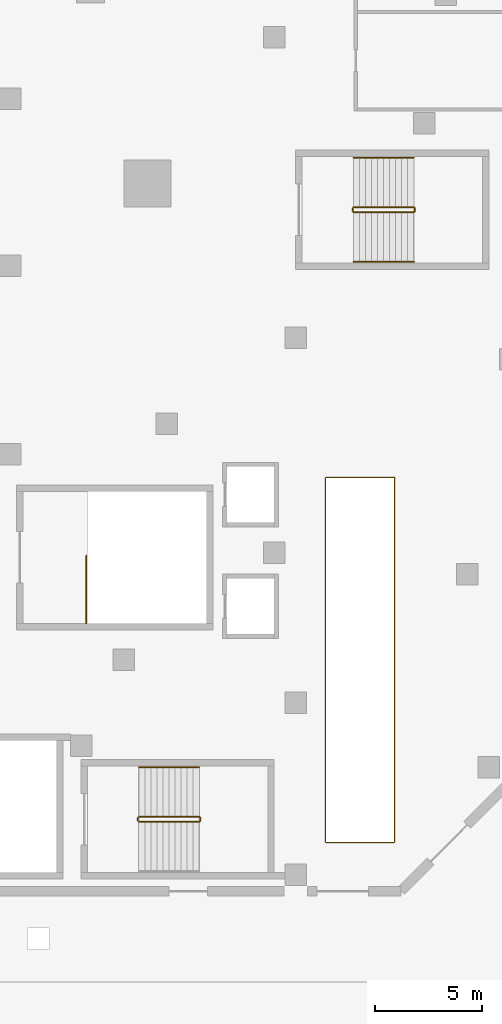
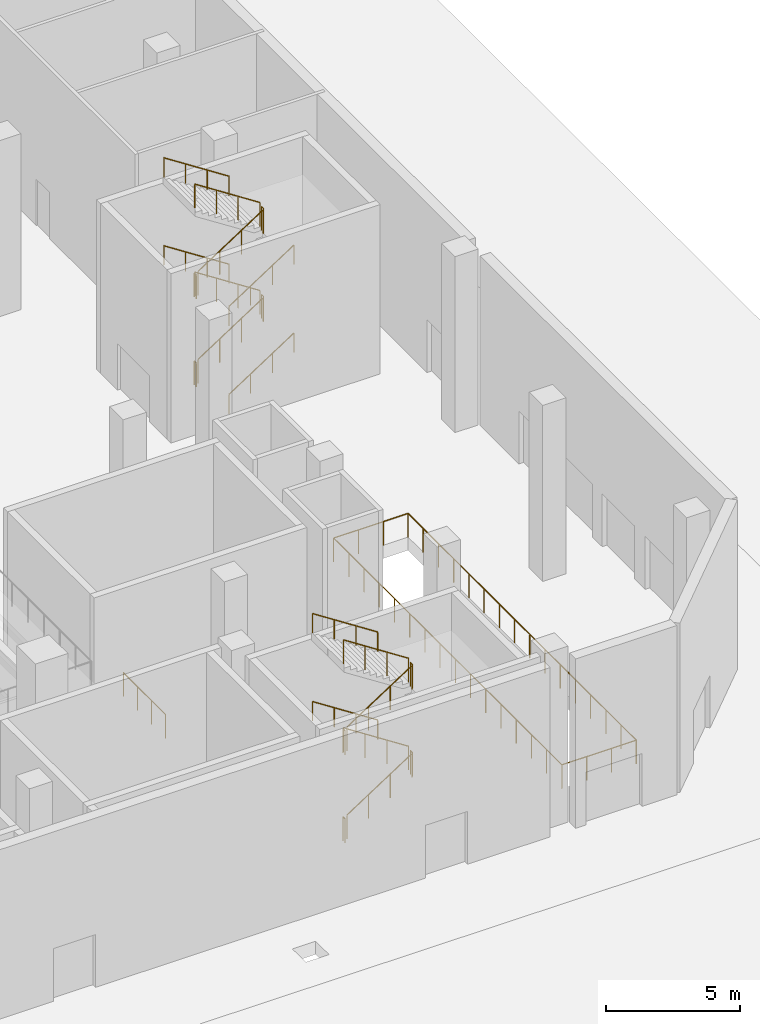
# One storey, part 36 of 41: 24 railings.
"""IFC4 building model written with IfcOpenShell, lengths in metres."""

import ifcopenshell
import ifcopenshell.guid

model = None  # the IFC model being written
_history = None  # IfcOwnerHistory: only IFC2X3 demands one
_inside = {}  # id of a spatial element -> (the spatial element, [elements in it])
_under = {}  # id of a project, library or spatial element -> (it, [spatial elements below it])
_declared = {}  # id of a project -> (the project, [libraries it declares])
_typed = {}  # id of a type object -> (the type object, [elements of that type])
_made_of = {}  # id of a material, layer set ... -> (it, [elements and type objects made of it])


def new_model(schema):
    """Start an empty IFC model of exactly this schema.

    Asked for "IFC4X3", IfcOpenShell would pick the latest addendum, in which some entities
    have other attributes; the version numbers below select the first issue.
    IFC2X3 requires an IfcOwnerHistory on every rooted entity: one is made here for all.
    """
    global model, _history
    if schema == "IFC4X3":
        model = ifcopenshell.file(schema_version=(4, 3, 0, 0))
    else:
        model = ifcopenshell.file(schema=schema)
    _inside.clear()
    _under.clear()
    _declared.clear()
    _typed.clear()
    _made_of.clear()
    _history = None
    if model.schema == "IFC2X3":
        org = make("IfcOrganization", Name="unknown")
        user = make(
            "IfcPersonAndOrganization",
            ThePerson=make("IfcPerson", FamilyName="unknown"),
            TheOrganization=org,
        )
        app = make(
            "IfcApplication",
            ApplicationDeveloper=org,
            Version="unknown",
            ApplicationFullName="unknown",
            ApplicationIdentifier="unknown",
        )
        _history = make(
            "IfcOwnerHistory",
            OwningUser=user,
            OwningApplication=app,
            ChangeAction="ADDED",
            CreationDate=0,
        )
    return model


def make(cls, **values):
    """One entity of the class cls with the attributes given. An attribute that is None is left unset."""
    return model.create_entity(
        cls, **{name: value for name, value in values.items() if value is not None}
    )


def rooted(cls, **values):
    """An entity with a GlobalId (a new one), such as an element, a storey or a relation."""
    return make(cls, GlobalId=ifcopenshell.guid.new(), OwnerHistory=_history, **values)


def si_unit(unit_type, name, prefix=None):
    """IfcSIUnit, for example si_unit("LENGTHUNIT", "METRE", prefix="MILLI")."""
    return make("IfcSIUnit", UnitType=unit_type, Prefix=prefix, Name=name)


def assignment(units):
    """IfcUnitAssignment: the units of a project."""
    return None if units is None else make("IfcUnitAssignment", Units=units)


def point(xyz):
    """IfcCartesianPoint."""
    return None if xyz is None else make("IfcCartesianPoint", Coordinates=xyz)


def direction(xyz):
    """IfcDirection."""
    return None if xyz is None else make("IfcDirection", DirectionRatios=xyz)


def frame(location, z_axis=None, x_axis=None):
    """IfcAxis2Placement3D, a coordinate frame: its origin and axes. An axis left out is left unset."""
    return make(
        "IfcAxis2Placement3D",
        Location=point(location),
        Axis=direction(z_axis),
        RefDirection=direction(x_axis),
    )


def frame_2d(location, x_axis=None):
    """IfcAxis2Placement2D, a coordinate frame in the plane: its origin and x axis."""
    return make(
        "IfcAxis2Placement2D", Location=point(location), RefDirection=direction(x_axis)
    )


def origin():
    """The frame at (0, 0, 0) with its axes left unset."""
    return frame((0.0, 0.0, 0.0))


def origin_2d():
    """The frame at (0, 0) in the plane with its x axis left unset."""
    return frame_2d((0.0, 0.0))


def place(relative_to, where):
    """IfcLocalPlacement: puts the frame where relative to a parent placement (None: the world)."""
    return make(
        "IfcLocalPlacement", PlacementRelTo=relative_to, RelativePlacement=where
    )


def context(
    kind, dimensions, precision=None, world=None, true_north=None, identifier=None
):
    """IfcGeometricRepresentationContext, for example the 3D "Model" context."""
    return make(
        "IfcGeometricRepresentationContext",
        ContextIdentifier=identifier,
        ContextType=kind,
        CoordinateSpaceDimension=dimensions,
        Precision=precision,
        WorldCoordinateSystem=world,
        TrueNorth=true_north,
    )


def subcontext(parent, identifier, kind, view, scale=None):
    """IfcGeometricRepresentationSubContext, for example "Body" below "Model"."""
    return make(
        "IfcGeometricRepresentationSubContext",
        ContextIdentifier=identifier,
        ContextType=kind,
        ParentContext=parent,
        TargetScale=scale,
        TargetView=view,
    )


def project(units=None, contexts=None):
    """IfcProject with its units and contexts."""
    return rooted(
        "IfcProject",
        Name="project",
        RepresentationContexts=contexts,
        UnitsInContext=assignment(units),
    )


def spatial(cls, under=None, at=None, **own):
    """A site, building, storey or space (cls), placed at a placement, below another one or the project."""
    s = rooted(cls, ObjectPlacement=at, **own)
    if under is not None:
        _under.setdefault(under.id(), (under, []))[1].append(s)
    return s


def profile(cls, at=None, kind="AREA", **sizes):
    """A parametric profile (cls). Its sizes go by their IFC names, for example OverallWidth=200.0."""
    return make(cls, ProfileType=kind, Position=at, **sizes)


def circle(**sizes):
    """IfcCircleProfileDef."""
    return profile("IfcCircleProfileDef", **sizes)


def extrude(swept, where, along, depth):
    """IfcExtrudedAreaSolid: the profile swept, set in the frame where, extruded along a direction by depth."""
    return make(
        "IfcExtrudedAreaSolid",
        SweptArea=swept,
        Position=where,
        ExtrudedDirection=direction(along),
        Depth=depth,
    )


def shape(context_of_items, identifier, shape_type, items):
    """IfcShapeRepresentation: the items that make up one representation, for example the "Body"."""
    return make(
        "IfcShapeRepresentation",
        ContextOfItems=context_of_items,
        RepresentationIdentifier=identifier,
        RepresentationType=shape_type,
        Items=items,
    )


def material(Name=None, Category=None):
    """IfcMaterial."""
    return make("IfcMaterial", Name=Name, Category=Category)


def made_of(thing, what):
    """Note that an element or type object is made of a material, layer set ...; save() writes the relation."""
    if what is not None:
        _made_of.setdefault(what.id(), (what, []))[1].append(thing)
    return thing


def type_object(cls, material=None, **own):
    """A type object (cls), such as IfcWallType, which elements share."""
    return made_of(rooted(cls, **own), material)


def element(
    cls,
    number,
    at=None,
    inside=None,
    cuts=None,
    type_object=None,
    material=None,
    context=None,
    identifier="Body",
    shape_type=None,
    held_by="IfcProductDefinitionShape",
    body=None,
    shapes=None,
    **own,
):
    """One element of the class cls, such as IfcWall. Its Tag is "e" and its number.

    at: its placement. inside: the storey or other place that contains it. cuts: it is an
    opening in that element (IfcRelVoidsElement). A single representation is given by context,
    identifier, shape_type and body (its items); several are given by shapes. held_by: the class
    of the entity that holds the representations. save() writes the other relations.
    """
    e = rooted(cls, Tag="e%d" % number, ObjectPlacement=at, **own)
    if body is not None:
        shapes = [shape(context, identifier, shape_type, body)]
    if shapes is not None:
        e.Representation = make(held_by, Representations=shapes)
    if inside is not None:
        _inside.setdefault(inside.id(), (inside, []))[1].append(e)
    if cuts is not None:
        rooted(
            "IfcRelVoidsElement", RelatingBuildingElement=cuts, RelatedOpeningElement=e
        )
    if type_object is not None:
        _typed.setdefault(type_object.id(), (type_object, []))[1].append(e)
    return made_of(e, material)


def aggregate(whole, parts):
    """IfcRelAggregates: a whole, such as a stair, and the parts it consists of."""
    return rooted("IfcRelAggregates", RelatingObject=whole, RelatedObjects=parts)


def save(model, path):
    """Write the relations noted so far, then the file.

    IfcRelAggregates (storeys below a building ...), IfcRelContainedInSpatialStructure (elements
    in a storey), IfcRelDefinesByType, IfcRelAssociatesMaterial and IfcRelDeclares: one each for
    every whole, place, type object, material and project.
    """
    for whole, parts in _under.values():
        aggregate(whole, parts)
    for where, things in _inside.values():
        rooted(
            "IfcRelContainedInSpatialStructure",
            RelatedElements=things,
            RelatingStructure=where,
        )
    for kind, things in _typed.values():
        rooted("IfcRelDefinesByType", RelatedObjects=things, RelatingType=kind)
    for what, things in _made_of.values():
        rooted("IfcRelAssociatesMaterial", RelatedObjects=things, RelatingMaterial=what)
    for by, libraries in _declared.values():
        rooted("IfcRelDeclares", RelatingContext=by, RelatedDefinitions=libraries)
    model.write(path)


model = new_model("IFC4")

# Units and contexts
model_context = context("Model", 3, precision=1e-05, world=origin(), true_north=direction((0.0, 1.0)))
body_context = subcontext(model_context, "Body", "Model", "MODEL_VIEW")
ifc_project = project(units=[si_unit("LENGTHUNIT", "METRE"), si_unit("AREAUNIT", "SQUARE_METRE"), si_unit("VOLUMEUNIT", "CUBIC_METRE"), si_unit("PLANEANGLEUNIT", "RADIAN"), si_unit("MASSUNIT", "GRAM", prefix="KILO")], contexts=[model_context])

# Site, building, storey
site_placement = place(None, origin())
site = spatial("IfcSite", under=ifc_project, at=site_placement, CompositionType="ELEMENT")
building_placement = place(site_placement, origin())
building = spatial("IfcBuilding", under=site, at=building_placement, Name="Wharfspan Tower", CompositionType="ELEMENT")
storey_placement = place(building_placement, origin())
storey = spatial("IfcBuildingStorey", under=building, at=storey_placement, Name="L00", CompositionType="ELEMENT", Elevation=0.0)

# Railings
ifc_material = material(Name="Steel S355J2", Category="steel")
railing_type_1 = type_object("IfcRailingType", Name="Podium guard 1100", PredefinedType="GUARDRAIL", material=ifc_material)
railing_1_placement = place(storey_placement, frame((89.699951, -28.550049, 0.181885)))
element("IfcRailing", 1, at=railing_1_placement, inside=storey, type_object=railing_type_1, Name="L00 AS2 stair guard 1", PredefinedType="GUARDRAIL", context=body_context, shape_type="SweptSolid", body=[
    extrude(circle(Radius=0.023926, at=origin_2d()), frame((0.0, 0.0, 1.076172), z_axis=(0.838706, 0.0, 0.544585), x_axis=(0.0, 1.0, 0.0)), (0.0, 0.0, 1.0), 3.338623),
    extrude(circle(Radius=0.020996, at=origin_2d()), origin(), (0.0, 0.0, 1.0), 1.052002),
    extrude(circle(Radius=0.020996, at=origin_2d()), frame((0.93335, 0.0, 0.605957)), (0.0, 0.0, 1.0), 1.052002),
    extrude(circle(Radius=0.020996, at=origin_2d()), frame((1.866699, 0.0, 1.212158)), (0.0, 0.0, 1.0), 1.052002),
    extrude(circle(Radius=0.020996, at=origin_2d()), frame((2.800049, 0.0, 1.818115)), (0.0, 0.0, 1.0), 1.052002),
])
railing_2_placement = place(storey_placement, frame((92.550049, -28.5, 2.0)))
element("IfcRailing", 2, at=railing_2_placement, inside=storey, type_object=railing_type_1, Name="L00 AS2 stair guard 2", PredefinedType="GUARDRAIL", context=body_context, shape_type="SweptSolid", body=[
    extrude(circle(Radius=0.023926, at=origin_2d()), frame((0.0, 0.0, 1.076172), z_axis=(0.0, 1.0, 0.0), x_axis=(-1.0, 0.0, 0.0)), (0.0, 0.0, 1.0), 0.149902),
    extrude(circle(Radius=0.020996, at=origin_2d()), origin(), (0.0, 0.0, 1.0), 1.052002),
    extrude(circle(Radius=0.020996, at=origin_2d()), frame((0.0, 0.149902, 0.0)), (0.0, 0.0, 1.0), 1.052002),
])
railing_3_placement = place(storey_placement, frame((92.5, -28.300049, 2.181885)))
element("IfcRailing", 3, at=railing_3_placement, inside=storey, type_object=railing_type_1, Name="L00 AS2 stair guard 3", PredefinedType="GUARDRAIL", context=body_context, shape_type="SweptSolid", body=[
    extrude(circle(Radius=0.023926, at=origin_2d()), frame((0.0, 0.0, 1.076172), z_axis=(-0.838706, 0.0, 0.544585), x_axis=(0.0, -1.0, 0.0)), (0.0, 0.0, 1.0), 3.338623),
    extrude(circle(Radius=0.020996, at=origin_2d()), origin(), (0.0, 0.0, 1.0), 1.052002),
    extrude(circle(Radius=0.020996, at=origin_2d()), frame((-0.93335, 0.0, 0.605957)), (0.0, 0.0, 1.0), 1.052002),
    extrude(circle(Radius=0.020996, at=origin_2d()), frame((-1.866699, 0.0, 1.212158)), (0.0, 0.0, 1.0), 1.052002),
    extrude(circle(Radius=0.020996, at=origin_2d()), frame((-2.800049, 0.0, 1.818115)), (0.0, 0.0, 1.0), 1.052002),
])
railing_4_placement = place(storey_placement, frame((89.649902, -28.5, 4.0)))
element("IfcRailing", 4, at=railing_4_placement, inside=storey, type_object=railing_type_1, Name="L00 AS2 stair guard 4", PredefinedType="GUARDRAIL", context=body_context, shape_type="SweptSolid", body=[
    extrude(circle(Radius=0.023926, at=origin_2d()), frame((0.0, 0.0, 1.076172), z_axis=(0.0, 1.0, 0.0), x_axis=(-1.0, 0.0, 0.0)), (0.0, 0.0, 1.0), 0.149902),
    extrude(circle(Radius=0.020996, at=origin_2d()), origin(), (0.0, 0.0, 1.0), 1.052002),
    extrude(circle(Radius=0.020996, at=origin_2d()), frame((0.0, 0.149902, 0.0)), (0.0, 0.0, 1.0), 1.052002),
])
railing_5_placement = place(storey_placement, frame((89.699951, -28.550049, 4.181885)))
element("IfcRailing", 5, at=railing_5_placement, inside=storey, type_object=railing_type_1, Name="L00 AS2 stair guard 5", PredefinedType="GUARDRAIL", context=body_context, shape_type="SweptSolid", body=[
    extrude(circle(Radius=0.023926, at=origin_2d()), frame((0.0, 0.0, 1.076172), z_axis=(0.838706, 0.0, 0.544585), x_axis=(0.0, 1.0, 0.0)), (0.0, 0.0, 1.0), 3.338623),
    extrude(circle(Radius=0.020996, at=origin_2d()), origin(), (0.0, 0.0, 1.0), 1.052002),
    extrude(circle(Radius=0.020996, at=origin_2d()), frame((0.93335, 0.0, 0.605957)), (0.0, 0.0, 1.0), 1.052002),
    extrude(circle(Radius=0.020996, at=origin_2d()), frame((1.866699, 0.0, 1.212158)), (0.0, 0.0, 1.0), 1.052002),
    extrude(circle(Radius=0.020996, at=origin_2d()), frame((2.800049, 0.0, 1.818115)), (0.0, 0.0, 1.0), 1.052002),
])
railing_6_placement = place(storey_placement, frame((92.550049, -28.5, 6.0)))
element("IfcRailing", 6, at=railing_6_placement, inside=storey, type_object=railing_type_1, Name="L00 AS2 stair guard 6", PredefinedType="GUARDRAIL", context=body_context, shape_type="SweptSolid", body=[
    extrude(circle(Radius=0.023926, at=origin_2d()), frame((0.0, 0.0, 1.076172), z_axis=(0.0, 1.0, 0.0), x_axis=(-1.0, 0.0, 0.0)), (0.0, 0.0, 1.0), 0.149902),
    extrude(circle(Radius=0.020996, at=origin_2d()), origin(), (0.0, 0.0, 1.0), 1.052002),
    extrude(circle(Radius=0.020996, at=origin_2d()), frame((0.0, 0.149902, 0.0)), (0.0, 0.0, 1.0), 1.052002),
])
railing_7_placement = place(storey_placement, frame((92.5, -28.300049, 6.181885)))
element("IfcRailing", 7, at=railing_7_placement, inside=storey, type_object=railing_type_1, Name="L00 AS2 stair guard 7", PredefinedType="GUARDRAIL", context=body_context, shape_type="SweptSolid", body=[
    extrude(circle(Radius=0.023926, at=origin_2d()), frame((0.0, 0.0, 1.076172), z_axis=(-0.838706, 0.0, 0.544585), x_axis=(0.0, -1.0, 0.0)), (0.0, 0.0, 1.0), 3.338623),
    extrude(circle(Radius=0.020996, at=origin_2d()), origin(), (0.0, 0.0, 1.0), 1.052002),
    extrude(circle(Radius=0.020996, at=origin_2d()), frame((-0.93335, 0.0, 0.605957)), (0.0, 0.0, 1.0), 1.052002),
    extrude(circle(Radius=0.020996, at=origin_2d()), frame((-1.866699, 0.0, 1.212158)), (0.0, 0.0, 1.0), 1.052002),
    extrude(circle(Radius=0.020996, at=origin_2d()), frame((-2.800049, 0.0, 1.818115)), (0.0, 0.0, 1.0), 1.052002),
])
railing_8_placement = place(storey_placement, frame((89.649902, -28.5, 0.0)))
element("IfcRailing", 8, at=railing_8_placement, inside=storey, type_object=railing_type_1, Name="L00 AS2 stair guard 8", PredefinedType="GUARDRAIL", context=body_context, shape_type="SweptSolid", body=[
    extrude(circle(Radius=0.023926, at=origin_2d()), frame((0.0, 0.0, 1.076172), z_axis=(0.0, 1.0, 0.0), x_axis=(-1.0, 0.0, 0.0)), (0.0, 0.0, 1.0), 0.149902),
    extrude(circle(Radius=0.020996, at=origin_2d()), origin(), (0.0, 0.0, 1.0), 1.052002),
    extrude(circle(Radius=0.020996, at=origin_2d()), frame((0.0, 0.149902, 0.0)), (0.0, 0.0, 1.0), 1.052002),
])
railing_9_placement = place(storey_placement, frame((99.699951, -0.149902, 0.181885)))
element("IfcRailing", 9, at=railing_9_placement, inside=storey, type_object=railing_type_1, Name="L00 AS8 stair guard 1", PredefinedType="GUARDRAIL", context=body_context, shape_type="SweptSolid", body=[
    extrude(circle(Radius=0.023926, at=origin_2d()), frame((0.0, 0.0, 1.076172), z_axis=(0.838706, 0.0, 0.544585), x_axis=(0.0, 1.0, 0.0)), (0.0, 0.0, 1.0), 3.338623),
    extrude(circle(Radius=0.020996, at=origin_2d()), origin(), (0.0, 0.0, 1.0), 1.052002),
    extrude(circle(Radius=0.020996, at=origin_2d()), frame((0.93335, 0.0, 0.605957)), (0.0, 0.0, 1.0), 1.052002),
    extrude(circle(Radius=0.020996, at=origin_2d()), frame((1.866699, 0.0, 1.212158)), (0.0, 0.0, 1.0), 1.052002),
    extrude(circle(Radius=0.020996, at=origin_2d()), frame((2.800049, 0.0, 1.818115)), (0.0, 0.0, 1.0), 1.052002),
])
railing_10_placement = place(storey_placement, frame((102.550049, -0.100098, 2.0)))
element("IfcRailing", 10, at=railing_10_placement, inside=storey, type_object=railing_type_1, Name="L00 AS8 stair guard 2", PredefinedType="GUARDRAIL", context=body_context, shape_type="SweptSolid", body=[
    extrude(circle(Radius=0.023926, at=origin_2d()), frame((0.0, 0.0, 1.076172), z_axis=(0.0, 1.0, 0.0), x_axis=(-1.0, 0.0, 0.0)), (0.0, 0.0, 1.0), 0.150146),
    extrude(circle(Radius=0.020996, at=origin_2d()), origin(), (0.0, 0.0, 1.0), 1.052002),
    extrude(circle(Radius=0.020996, at=origin_2d()), frame((0.0, 0.150146, 0.0)), (0.0, 0.0, 1.0), 1.052002),
])
railing_11_placement = place(storey_placement, frame((102.5, 0.100098, 2.181885)))
element("IfcRailing", 11, at=railing_11_placement, inside=storey, type_object=railing_type_1, Name="L00 AS8 stair guard 3", PredefinedType="GUARDRAIL", context=body_context, shape_type="SweptSolid", body=[
    extrude(circle(Radius=0.023926, at=origin_2d()), frame((0.0, 0.0, 1.076172), z_axis=(-0.838706, 0.0, 0.544585), x_axis=(0.0, -1.0, 0.0)), (0.0, 0.0, 1.0), 3.338623),
    extrude(circle(Radius=0.020996, at=origin_2d()), origin(), (0.0, 0.0, 1.0), 1.052002),
    extrude(circle(Radius=0.020996, at=origin_2d()), frame((-0.93335, 0.0, 0.605957)), (0.0, 0.0, 1.0), 1.052002),
    extrude(circle(Radius=0.020996, at=origin_2d()), frame((-1.866699, 0.0, 1.212158)), (0.0, 0.0, 1.0), 1.052002),
    extrude(circle(Radius=0.020996, at=origin_2d()), frame((-2.800049, 0.0, 1.818115)), (0.0, 0.0, 1.0), 1.052002),
])
railing_12_placement = place(storey_placement, frame((99.649902, -0.100098, 4.0)))
element("IfcRailing", 12, at=railing_12_placement, inside=storey, type_object=railing_type_1, Name="L00 AS8 stair guard 4", PredefinedType="GUARDRAIL", context=body_context, shape_type="SweptSolid", body=[
    extrude(circle(Radius=0.023926, at=origin_2d()), frame((0.0, 0.0, 1.076172), z_axis=(0.0, 1.0, 0.0), x_axis=(-1.0, 0.0, 0.0)), (0.0, 0.0, 1.0), 0.150146),
    extrude(circle(Radius=0.020996, at=origin_2d()), origin(), (0.0, 0.0, 1.0), 1.052002),
    extrude(circle(Radius=0.020996, at=origin_2d()), frame((0.0, 0.150146, 0.0)), (0.0, 0.0, 1.0), 1.052002),
])
railing_13_placement = place(storey_placement, frame((99.699951, -0.149902, 4.181885)))
element("IfcRailing", 13, at=railing_13_placement, inside=storey, type_object=railing_type_1, Name="L00 AS8 stair guard 5", PredefinedType="GUARDRAIL", context=body_context, shape_type="SweptSolid", body=[
    extrude(circle(Radius=0.023926, at=origin_2d()), frame((0.0, 0.0, 1.076172), z_axis=(0.838706, 0.0, 0.544585), x_axis=(0.0, 1.0, 0.0)), (0.0, 0.0, 1.0), 3.338623),
    extrude(circle(Radius=0.020996, at=origin_2d()), origin(), (0.0, 0.0, 1.0), 1.052002),
    extrude(circle(Radius=0.020996, at=origin_2d()), frame((0.93335, 0.0, 0.605957)), (0.0, 0.0, 1.0), 1.052002),
    extrude(circle(Radius=0.020996, at=origin_2d()), frame((1.866699, 0.0, 1.212158)), (0.0, 0.0, 1.0), 1.052002),
    extrude(circle(Radius=0.020996, at=origin_2d()), frame((2.800049, 0.0, 1.818115)), (0.0, 0.0, 1.0), 1.052002),
])
railing_14_placement = place(storey_placement, frame((102.550049, -0.100098, 6.0)))
element("IfcRailing", 14, at=railing_14_placement, inside=storey, type_object=railing_type_1, Name="L00 AS8 stair guard 6", PredefinedType="GUARDRAIL", context=body_context, shape_type="SweptSolid", body=[
    extrude(circle(Radius=0.023926, at=origin_2d()), frame((0.0, 0.0, 1.076172), z_axis=(0.0, 1.0, 0.0), x_axis=(-1.0, 0.0, 0.0)), (0.0, 0.0, 1.0), 0.150146),
    extrude(circle(Radius=0.020996, at=origin_2d()), origin(), (0.0, 0.0, 1.0), 1.052002),
    extrude(circle(Radius=0.020996, at=origin_2d()), frame((0.0, 0.150146, 0.0)), (0.0, 0.0, 1.0), 1.052002),
])
railing_15_placement = place(storey_placement, frame((102.5, 0.100098, 6.181885)))
element("IfcRailing", 15, at=railing_15_placement, inside=storey, type_object=railing_type_1, Name="L00 AS8 stair guard 7", PredefinedType="GUARDRAIL", context=body_context, shape_type="SweptSolid", body=[
    extrude(circle(Radius=0.023926, at=origin_2d()), frame((0.0, 0.0, 1.076172), z_axis=(-0.838706, 0.0, 0.544585), x_axis=(0.0, -1.0, 0.0)), (0.0, 0.0, 1.0), 3.338623),
    extrude(circle(Radius=0.020996, at=origin_2d()), origin(), (0.0, 0.0, 1.0), 1.052002),
    extrude(circle(Radius=0.020996, at=origin_2d()), frame((-0.93335, 0.0, 0.605957)), (0.0, 0.0, 1.0), 1.052002),
    extrude(circle(Radius=0.020996, at=origin_2d()), frame((-1.866699, 0.0, 1.212158)), (0.0, 0.0, 1.0), 1.052002),
    extrude(circle(Radius=0.020996, at=origin_2d()), frame((-2.800049, 0.0, 1.818115)), (0.0, 0.0, 1.0), 1.052002),
])
railing_16_placement = place(storey_placement, frame((99.649902, -0.100098, 0.0)))
element("IfcRailing", 16, at=railing_16_placement, inside=storey, type_object=railing_type_1, Name="L00 AS8 stair guard 8", PredefinedType="GUARDRAIL", context=body_context, shape_type="SweptSolid", body=[
    extrude(circle(Radius=0.023926, at=origin_2d()), frame((0.0, 0.0, 1.076172), z_axis=(0.0, 1.0, 0.0), x_axis=(-1.0, 0.0, 0.0)), (0.0, 0.0, 1.0), 0.150146),
    extrude(circle(Radius=0.020996, at=origin_2d()), origin(), (0.0, 0.0, 1.0), 1.052002),
    extrude(circle(Radius=0.020996, at=origin_2d()), frame((0.0, 0.150146, 0.0)), (0.0, 0.0, 1.0), 1.052002),
])
railing_17_placement = place(storey_placement, frame((87.25, -19.300049, 0.0)))
element("IfcRailing", 17, at=railing_17_placement, inside=storey, type_object=railing_type_1, Name="L00 SB7 top well guard 1", PredefinedType="GUARDRAIL", context=body_context, shape_type="SweptSolid", body=[
    extrude(circle(Radius=0.023926, at=origin_2d()), frame((0.0, 0.0, 1.076172), z_axis=(0.0, 1.0, 0.0), x_axis=(-1.0, 0.0, 0.0)), (0.0, 0.0, 1.0), 3.150146),
    extrude(circle(Radius=0.020996, at=origin_2d()), origin(), (0.0, 0.0, 1.0), 1.052002),
    extrude(circle(Radius=0.020996, at=origin_2d()), frame((0.0, 1.050049, 0.0)), (0.0, 0.0, 1.0), 1.052002),
    extrude(circle(Radius=0.020996, at=origin_2d()), frame((0.0, 2.100098, 0.0)), (0.0, 0.0, 1.0), 1.052002),
    extrude(circle(Radius=0.020996, at=origin_2d()), frame((0.0, 3.150146, 0.0)), (0.0, 0.0, 1.0), 1.052002),
])
railing_18_placement = place(storey_placement, frame((98.399902, -29.5, 0.0)))
element("IfcRailing", 18, at=railing_18_placement, inside=storey, type_object=railing_type_1, Name="L00 escalator void guard", PredefinedType="GUARDRAIL", context=body_context, shape_type="SweptSolid", body=[
    extrude(circle(Radius=0.023926, at=origin_2d()), frame((0.0, 0.0, 1.076172), z_axis=(0.0, 1.0, 0.0), x_axis=(-1.0, 0.0, 0.0)), (0.0, 0.0, 1.0), 17.0),
    extrude(circle(Radius=0.023926, at=origin_2d()), frame((0.0, 17.0, 1.076172), z_axis=(1.0, 0.0, 0.0), x_axis=(0.0, 1.0, 0.0)), (0.0, 0.0, 1.0), 3.200195),
    extrude(circle(Radius=0.023926, at=origin_2d()), frame((3.200195, 17.0, 1.076172), z_axis=(0.0, -1.0, 0.0), x_axis=(1.0, 0.0, 0.0)), (0.0, 0.0, 1.0), 17.0),
    extrude(circle(Radius=0.023926, at=origin_2d()), frame((3.200195, 0.0, 1.076172), z_axis=(-1.0, 0.0, 0.0), x_axis=(0.0, -1.0, 0.0)), (0.0, 0.0, 1.0), 3.200195),
    extrude(circle(Radius=0.020996, at=origin_2d()), origin(), (0.0, 0.0, 1.0), 1.052002),
    extrude(circle(Radius=0.020996, at=origin_2d()), frame((0.0, 1.133301, 0.0)), (0.0, 0.0, 1.0), 1.052002),
    extrude(circle(Radius=0.020996, at=origin_2d()), frame((0.0, 2.266602, 0.0)), (0.0, 0.0, 1.0), 1.052002),
    extrude(circle(Radius=0.020996, at=origin_2d()), frame((0.0, 3.399902, 0.0)), (0.0, 0.0, 1.0), 1.052002),
    extrude(circle(Radius=0.020996, at=origin_2d()), frame((0.0, 4.533447, 0.0)), (0.0, 0.0, 1.0), 1.052002),
    extrude(circle(Radius=0.020996, at=origin_2d()), frame((0.0, 5.666748, 0.0)), (0.0, 0.0, 1.0), 1.052002),
    extrude(circle(Radius=0.020996, at=origin_2d()), frame((0.0, 6.800049, 0.0)), (0.0, 0.0, 1.0), 1.052002),
    extrude(circle(Radius=0.020996, at=origin_2d()), frame((0.0, 7.93335, 0.0)), (0.0, 0.0, 1.0), 1.052002),
    extrude(circle(Radius=0.020996, at=origin_2d()), frame((0.0, 9.06665, 0.0)), (0.0, 0.0, 1.0), 1.052002),
    extrude(circle(Radius=0.020996, at=origin_2d()), frame((0.0, 10.199951, 0.0)), (0.0, 0.0, 1.0), 1.052002),
    extrude(circle(Radius=0.020996, at=origin_2d()), frame((0.0, 11.333252, 0.0)), (0.0, 0.0, 1.0), 1.052002),
    extrude(circle(Radius=0.020996, at=origin_2d()), frame((0.0, 12.466553, 0.0)), (0.0, 0.0, 1.0), 1.052002),
    extrude(circle(Radius=0.020996, at=origin_2d()), frame((0.0, 13.600098, 0.0)), (0.0, 0.0, 1.0), 1.052002),
    extrude(circle(Radius=0.020996, at=origin_2d()), frame((0.0, 14.733398, 0.0)), (0.0, 0.0, 1.0), 1.052002),
    extrude(circle(Radius=0.020996, at=origin_2d()), frame((0.0, 15.866699, 0.0)), (0.0, 0.0, 1.0), 1.052002),
    extrude(circle(Radius=0.020996, at=origin_2d()), frame((0.0, 17.0, 0.0)), (0.0, 0.0, 1.0), 1.052002),
    extrude(circle(Radius=0.020996, at=origin_2d()), frame((1.06665, 17.0, 0.0)), (0.0, 0.0, 1.0), 1.052002),
    extrude(circle(Radius=0.020996, at=origin_2d()), frame((2.133545, 17.0, 0.0)), (0.0, 0.0, 1.0), 1.052002),
    extrude(circle(Radius=0.020996, at=origin_2d()), frame((3.200195, 17.0, 0.0)), (0.0, 0.0, 1.0), 1.052002),
    extrude(circle(Radius=0.020996, at=origin_2d()), frame((3.200195, 15.866699, 0.0)), (0.0, 0.0, 1.0), 1.052002),
    extrude(circle(Radius=0.020996, at=origin_2d()), frame((3.200195, 14.733398, 0.0)), (0.0, 0.0, 1.0), 1.052002),
    extrude(circle(Radius=0.020996, at=origin_2d()), frame((3.200195, 13.600098, 0.0)), (0.0, 0.0, 1.0), 1.052002),
    extrude(circle(Radius=0.020996, at=origin_2d()), frame((3.200195, 12.466553, 0.0)), (0.0, 0.0, 1.0), 1.052002),
    extrude(circle(Radius=0.020996, at=origin_2d()), frame((3.200195, 11.333252, 0.0)), (0.0, 0.0, 1.0), 1.052002),
    extrude(circle(Radius=0.020996, at=origin_2d()), frame((3.200195, 10.199951, 0.0)), (0.0, 0.0, 1.0), 1.052002),
    extrude(circle(Radius=0.020996, at=origin_2d()), frame((3.200195, 9.06665, 0.0)), (0.0, 0.0, 1.0), 1.052002),
    extrude(circle(Radius=0.020996, at=origin_2d()), frame((3.200195, 7.93335, 0.0)), (0.0, 0.0, 1.0), 1.052002),
    extrude(circle(Radius=0.020996, at=origin_2d()), frame((3.200195, 6.800049, 0.0)), (0.0, 0.0, 1.0), 1.052002),
    extrude(circle(Radius=0.020996, at=origin_2d()), frame((3.200195, 5.666748, 0.0)), (0.0, 0.0, 1.0), 1.052002),
    extrude(circle(Radius=0.020996, at=origin_2d()), frame((3.200195, 4.533447, 0.0)), (0.0, 0.0, 1.0), 1.052002),
    extrude(circle(Radius=0.020996, at=origin_2d()), frame((3.200195, 3.399902, 0.0)), (0.0, 0.0, 1.0), 1.052002),
    extrude(circle(Radius=0.020996, at=origin_2d()), frame((3.200195, 2.266602, 0.0)), (0.0, 0.0, 1.0), 1.052002),
    extrude(circle(Radius=0.020996, at=origin_2d()), frame((3.200195, 1.133301, 0.0)), (0.0, 0.0, 1.0), 1.052002),
    extrude(circle(Radius=0.020996, at=origin_2d()), frame((3.200195, 0.0, 0.0)), (0.0, 0.0, 1.0), 1.052002),
    extrude(circle(Radius=0.020996, at=origin_2d()), frame((2.133545, 0.0, 0.0)), (0.0, 0.0, 1.0), 1.052002),
    extrude(circle(Radius=0.020996, at=origin_2d()), frame((1.06665, 0.0, 0.0)), (0.0, 0.0, 1.0), 1.052002),
])
railing_type_2 = type_object("IfcRailingType", Name="Podium stair handrail 900", PredefinedType="HANDRAIL", material=ifc_material)
for number, where, name in (
    (19, (92.5, -26.0, 2.181885), "L00 AS2 stair handrail 2"),
    (20, (92.5, -26.0, 6.181885), "L00 AS2 stair handrail 4"),
):
    element("IfcRailing", number, at=place(storey_placement, frame(where)), inside=storey, type_object=railing_type_2, Name=name, PredefinedType="HANDRAIL", context=body_context, shape_type="SweptSolid", body=[
        extrude(circle(Radius=0.023926, at=origin_2d()), frame((0.0, 0.0, 0.875977), z_axis=(-0.838706, 0.0, 0.544585), x_axis=(0.0, -1.0, 0.0)), (0.0, 0.0, 1.0), 3.338623),
        extrude(circle(Radius=0.020996, at=origin_2d()), origin(), (0.0, 0.0, 1.0), 0.851807),
        extrude(circle(Radius=0.020996, at=origin_2d()), frame((-0.93335, 0.0, 0.605957)), (0.0, 0.0, 1.0), 0.851807),
        extrude(circle(Radius=0.020996, at=origin_2d()), frame((-1.866699, 0.0, 1.212158)), (0.0, 0.0, 1.0), 0.851807),
        extrude(circle(Radius=0.020996, at=origin_2d()), frame((-2.800049, 0.0, 1.818115)), (0.0, 0.0, 1.0), 0.851807),
    ])
railing_19_placement = place(storey_placement, frame((99.699951, -2.449951, 0.181885)))
element("IfcRailing", 21, at=railing_19_placement, inside=storey, type_object=railing_type_2, Name="L00 AS8 stair handrail 1", PredefinedType="HANDRAIL", context=body_context, shape_type="SweptSolid", body=[
    extrude(circle(Radius=0.023926, at=origin_2d()), frame((0.0, 0.0, 0.875977), z_axis=(0.838706, 0.0, 0.544585), x_axis=(0.0, 1.0, 0.0)), (0.0, 0.0, 1.0), 3.338623),
    extrude(circle(Radius=0.020996, at=origin_2d()), origin(), (0.0, 0.0, 1.0), 0.851807),
    extrude(circle(Radius=0.020996, at=origin_2d()), frame((0.93335, 0.0, 0.605957)), (0.0, 0.0, 1.0), 0.851807),
    extrude(circle(Radius=0.020996, at=origin_2d()), frame((1.866699, 0.0, 1.212158)), (0.0, 0.0, 1.0), 0.851807),
    extrude(circle(Radius=0.020996, at=origin_2d()), frame((2.800049, 0.0, 1.818115)), (0.0, 0.0, 1.0), 0.851807),
])
railing_20_placement = place(storey_placement, frame((102.5, 2.399902, 2.181885)))
element("IfcRailing", 22, at=railing_20_placement, inside=storey, type_object=railing_type_2, Name="L00 AS8 stair handrail 2", PredefinedType="HANDRAIL", context=body_context, shape_type="SweptSolid", body=[
    extrude(circle(Radius=0.023926, at=origin_2d()), frame((0.0, 0.0, 0.875977), z_axis=(-0.838706, 0.0, 0.544585), x_axis=(0.0, -1.0, 0.0)), (0.0, 0.0, 1.0), 3.338623),
    extrude(circle(Radius=0.020996, at=origin_2d()), origin(), (0.0, 0.0, 1.0), 0.851807),
    extrude(circle(Radius=0.020996, at=origin_2d()), frame((-0.93335, 0.0, 0.605957)), (0.0, 0.0, 1.0), 0.851807),
    extrude(circle(Radius=0.020996, at=origin_2d()), frame((-1.866699, 0.0, 1.212158)), (0.0, 0.0, 1.0), 0.851807),
    extrude(circle(Radius=0.020996, at=origin_2d()), frame((-2.800049, 0.0, 1.818115)), (0.0, 0.0, 1.0), 0.851807),
])
railing_21_placement = place(storey_placement, frame((99.699951, -2.449951, 4.181885)))
element("IfcRailing", 23, at=railing_21_placement, inside=storey, type_object=railing_type_2, Name="L00 AS8 stair handrail 3", PredefinedType="HANDRAIL", context=body_context, shape_type="SweptSolid", body=[
    extrude(circle(Radius=0.023926, at=origin_2d()), frame((0.0, 0.0, 0.875977), z_axis=(0.838706, 0.0, 0.544585), x_axis=(0.0, 1.0, 0.0)), (0.0, 0.0, 1.0), 3.338623),
    extrude(circle(Radius=0.020996, at=origin_2d()), origin(), (0.0, 0.0, 1.0), 0.851807),
    extrude(circle(Radius=0.020996, at=origin_2d()), frame((0.93335, 0.0, 0.605957)), (0.0, 0.0, 1.0), 0.851807),
    extrude(circle(Radius=0.020996, at=origin_2d()), frame((1.866699, 0.0, 1.212158)), (0.0, 0.0, 1.0), 0.851807),
    extrude(circle(Radius=0.020996, at=origin_2d()), frame((2.800049, 0.0, 1.818115)), (0.0, 0.0, 1.0), 0.851807),
])
railing_22_placement = place(storey_placement, frame((102.5, 2.399902, 6.181885)))
element("IfcRailing", 24, at=railing_22_placement, inside=storey, type_object=railing_type_2, Name="L00 AS8 stair handrail 4", PredefinedType="HANDRAIL", context=body_context, shape_type="SweptSolid", body=[
    extrude(circle(Radius=0.023926, at=origin_2d()), frame((0.0, 0.0, 0.875977), z_axis=(-0.838706, 0.0, 0.544585), x_axis=(0.0, -1.0, 0.0)), (0.0, 0.0, 1.0), 3.338623),
    extrude(circle(Radius=0.020996, at=origin_2d()), origin(), (0.0, 0.0, 1.0), 0.851807),
    extrude(circle(Radius=0.020996, at=origin_2d()), frame((-0.93335, 0.0, 0.605957)), (0.0, 0.0, 1.0), 0.851807),
    extrude(circle(Radius=0.020996, at=origin_2d()), frame((-1.866699, 0.0, 1.212158)), (0.0, 0.0, 1.0), 0.851807),
    extrude(circle(Radius=0.020996, at=origin_2d()), frame((-2.800049, 0.0, 1.818115)), (0.0, 0.0, 1.0), 0.851807),
])

save(model, "model.ifc")
